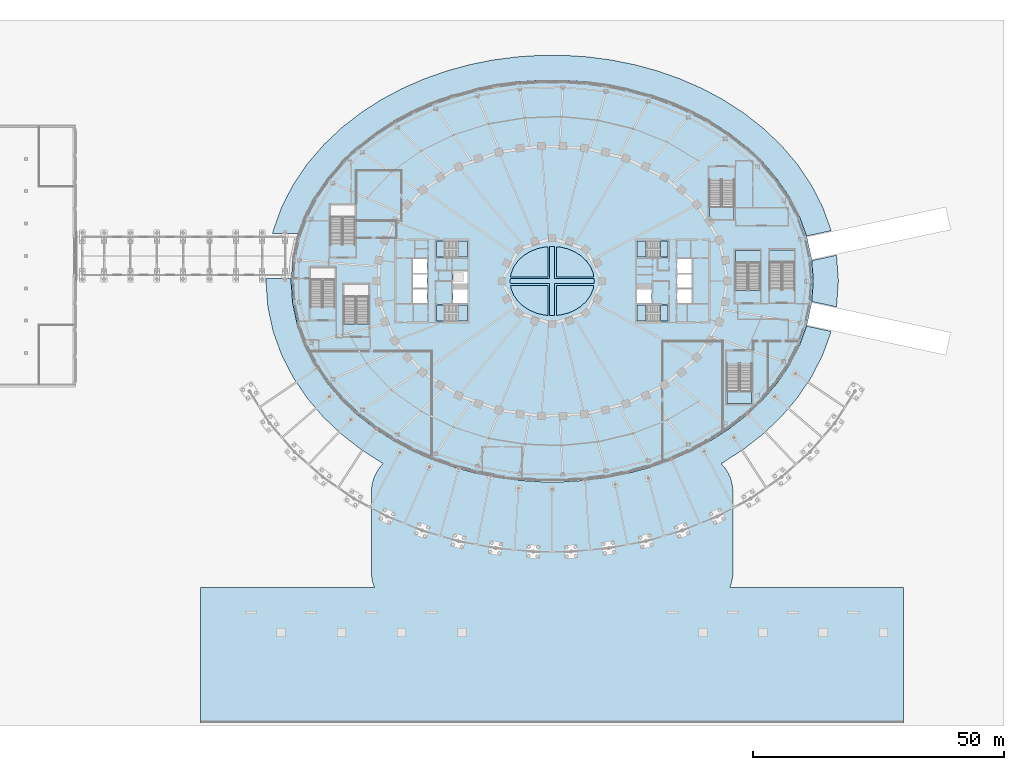
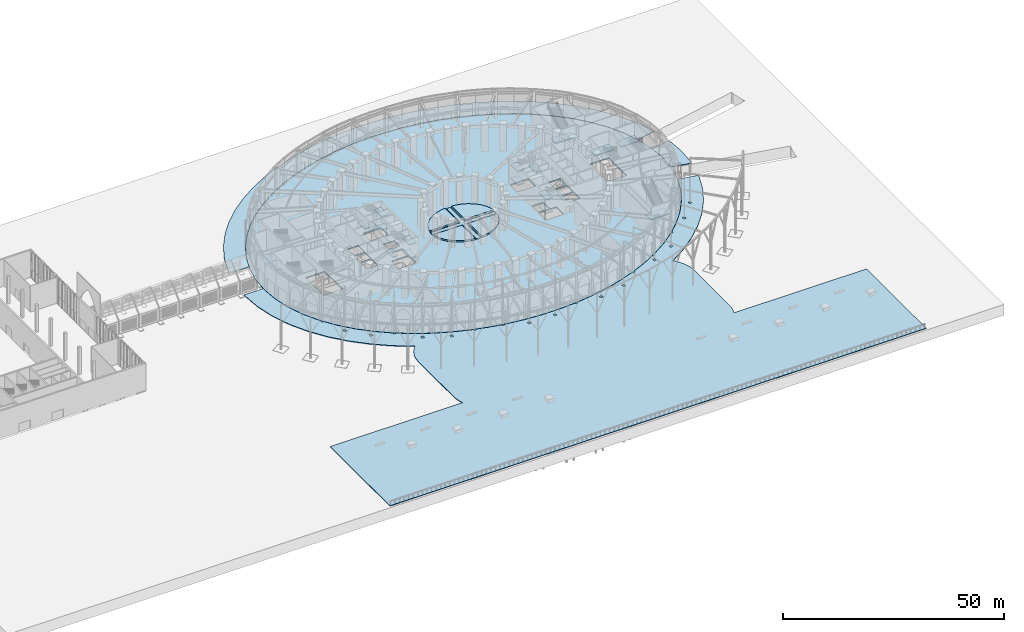
# One storey, part 37 of 79: 25 slabs, 8 elements without a shape of their own.
"""IFC4 building model written with IfcOpenShell, lengths in metres."""

from ifc_helpers import new_model, si_unit, direction, frame, origin, place, context, subcontext, project, spatial, polyline, outline, extrude, material, layer, layer_set, type_object, element, aggregate, save


model = new_model("IFC4")

# Units and contexts
model_context = context("Model", 3, precision=1e-05, world=origin(), true_north=direction((0.0, 1.0)))
body_context = subcontext(model_context, "Body", "Model", "MODEL_VIEW")
ifc_project = project(units=[si_unit("LENGTHUNIT", "METRE"), si_unit("AREAUNIT", "SQUARE_METRE"), si_unit("VOLUMEUNIT", "CUBIC_METRE"), si_unit("PLANEANGLEUNIT", "RADIAN"), si_unit("MASSUNIT", "GRAM", prefix="KILO")], contexts=[model_context])

# Site, building, storey
site_placement = place(None, origin())
site = spatial("IfcSite", under=ifc_project, at=site_placement, CompositionType="ELEMENT")
building_placement = place(site_placement, origin())
building = spatial("IfcBuilding", under=site, at=building_placement, Name="Noorbagh Ring Tower", CompositionType="ELEMENT")
storey_placement = place(building_placement, origin())
storey = spatial("IfcBuildingStorey", under=building, at=storey_placement, Name="L00", CompositionType="ELEMENT", Elevation=0.0)

# Stair, slabs
ifc_material_1 = material(Name="Concrete C40/50", Category="concrete")
stair_type_1 = type_object("IfcStairType", Name="CORE-STAIR", PredefinedType="HALF_TURN_STAIR", material=ifc_material_1)
stair_1_placement = place(storey_placement, origin())
stair_1 = element("IfcStair", 1, at=stair_1_placement, inside=storey, type_object=stair_type_1, Name="L00 Exit stair ST1", PredefinedType="HALF_TURN_STAIR")
ifc_material_2 = material(Name="Concrete C40/50", Category="concrete")
ifc_layer_1 = layer(ifc_material_2, 0.300048828125)
ifc_layer_set_1 = layer_set([ifc_layer_1], Name="Concrete C40/50")
slab_type_1 = type_object("IfcSlabType", Name="CORE-STAIR-LANDING", PredefinedType="LANDING", material=ifc_layer_set_1)
slab_1_placement = place(storey_placement, frame((0.0, 0.0, 1.574951171875)))
slab_1 = element("IfcSlab", 2, at=slab_1_placement, type_object=slab_type_1, Name="ST1 landing 1", PredefinedType="LANDING", context=body_context, shape_type="SweptSolid", body=[
    extrude(outline(polyline([(-18.72998046875, 4.75), (-16.89990234375, 4.75), (-16.89990234375, 8.0), (-18.72998046875, 8.0), (-18.72998046875, 4.75)])), origin(), (0.0, 0.0, 1.0), 0.300048828125),
])
slab_2_placement = place(storey_placement, frame((0.0, 0.0, 3.449951171875)))
slab_2 = element("IfcSlab", 3, at=slab_2_placement, type_object=slab_type_1, Name="ST1 landing 2", PredefinedType="LANDING", context=body_context, shape_type="SweptSolid", body=[
    extrude(outline(polyline([(-23.080078125, 4.75), (-21.530029296875, 4.75), (-21.530029296875, 8.0), (-23.080078125, 8.0), (-23.080078125, 4.75)])), origin(), (0.0, 0.0, 1.0), 0.300048828125),
])
slab_3_placement = place(storey_placement, frame((0.0, 0.0, 5.324951171875)))
slab_3 = element("IfcSlab", 4, at=slab_3_placement, type_object=slab_type_1, Name="ST1 landing 3", PredefinedType="LANDING", context=body_context, shape_type="SweptSolid", body=[
    extrude(outline(polyline([(-18.72998046875, 4.75), (-16.89990234375, 4.75), (-16.89990234375, 8.0), (-18.72998046875, 8.0), (-18.72998046875, 4.75)])), origin(), (0.0, 0.0, 1.0), 0.300048828125),
])
aggregate(stair_1, [slab_1, slab_2, slab_3])

stair_2_placement = place(storey_placement, origin())
stair_2 = element("IfcStair", 5, at=stair_2_placement, inside=storey, type_object=stair_type_1, Name="L00 Exit stair ST2", PredefinedType="HALF_TURN_STAIR")
slab_4_placement = place(storey_placement, frame((0.0, 0.0, 1.574951171875)))
slab_4 = element("IfcSlab", 6, at=slab_4_placement, type_object=slab_type_1, Name="ST2 landing 1", PredefinedType="LANDING", context=body_context, shape_type="SweptSolid", body=[
    extrude(outline(polyline([(-18.72998046875, -8.0), (-16.89990234375, -8.0), (-16.89990234375, -4.75), (-18.72998046875, -4.75), (-18.72998046875, -8.0)])), origin(), (0.0, 0.0, 1.0), 0.300048828125),
])
slab_5_placement = place(storey_placement, frame((0.0, 0.0, 3.449951171875)))
slab_5 = element("IfcSlab", 7, at=slab_5_placement, type_object=slab_type_1, Name="ST2 landing 2", PredefinedType="LANDING", context=body_context, shape_type="SweptSolid", body=[
    extrude(outline(polyline([(-23.080078125, -8.0), (-21.530029296875, -8.0), (-21.530029296875, -4.75), (-23.080078125, -4.75), (-23.080078125, -8.0)])), origin(), (0.0, 0.0, 1.0), 0.300048828125),
])
slab_6_placement = place(storey_placement, frame((0.0, 0.0, 5.324951171875)))
slab_6 = element("IfcSlab", 8, at=slab_6_placement, type_object=slab_type_1, Name="ST2 landing 3", PredefinedType="LANDING", context=body_context, shape_type="SweptSolid", body=[
    extrude(outline(polyline([(-18.72998046875, -8.0), (-16.89990234375, -8.0), (-16.89990234375, -4.75), (-18.72998046875, -4.75), (-18.72998046875, -8.0)])), origin(), (0.0, 0.0, 1.0), 0.300048828125),
])
aggregate(stair_2, [slab_4, slab_5, slab_6])

stair_3_placement = place(storey_placement, origin())
stair_3 = element("IfcStair", 9, at=stair_3_placement, inside=storey, type_object=stair_type_1, Name="L00 Exit stair ST3", PredefinedType="HALF_TURN_STAIR")
slab_7_placement = place(storey_placement, frame((0.0, 0.0, 1.574951171875)))
slab_7 = element("IfcSlab", 10, at=slab_7_placement, type_object=slab_type_1, Name="ST3 landing 1", PredefinedType="LANDING", context=body_context, shape_type="SweptSolid", body=[
    extrude(outline(polyline([(18.72998046875, 8.0), (16.89990234375, 8.0), (16.89990234375, 4.75), (18.72998046875, 4.75), (18.72998046875, 8.0)])), origin(), (0.0, 0.0, 1.0), 0.300048828125),
])
slab_8_placement = place(storey_placement, frame((0.0, 0.0, 3.449951171875)))
slab_8 = element("IfcSlab", 11, at=slab_8_placement, type_object=slab_type_1, Name="ST3 landing 2", PredefinedType="LANDING", context=body_context, shape_type="SweptSolid", body=[
    extrude(outline(polyline([(23.080078125, 8.0), (21.530029296875, 8.0), (21.530029296875, 4.75), (23.080078125, 4.75), (23.080078125, 8.0)])), origin(), (0.0, 0.0, 1.0), 0.300048828125),
])
slab_9_placement = place(storey_placement, frame((0.0, 0.0, 5.324951171875)))
slab_9 = element("IfcSlab", 12, at=slab_9_placement, type_object=slab_type_1, Name="ST3 landing 3", PredefinedType="LANDING", context=body_context, shape_type="SweptSolid", body=[
    extrude(outline(polyline([(18.72998046875, 8.0), (16.89990234375, 8.0), (16.89990234375, 4.75), (18.72998046875, 4.75), (18.72998046875, 8.0)])), origin(), (0.0, 0.0, 1.0), 0.300048828125),
])
aggregate(stair_3, [slab_7, slab_8, slab_9])

stair_4_placement = place(storey_placement, origin())
stair_4 = element("IfcStair", 13, at=stair_4_placement, inside=storey, type_object=stair_type_1, Name="L00 Exit stair ST4", PredefinedType="HALF_TURN_STAIR")
slab_10_placement = place(storey_placement, frame((0.0, 0.0, 1.574951171875)))
slab_10 = element("IfcSlab", 14, at=slab_10_placement, type_object=slab_type_1, Name="ST4 landing 1", PredefinedType="LANDING", context=body_context, shape_type="SweptSolid", body=[
    extrude(outline(polyline([(18.72998046875, -4.75), (16.89990234375, -4.75), (16.89990234375, -8.0), (18.72998046875, -8.0), (18.72998046875, -4.75)])), origin(), (0.0, 0.0, 1.0), 0.300048828125),
])
slab_11_placement = place(storey_placement, frame((0.0, 0.0, 3.449951171875)))
slab_11 = element("IfcSlab", 15, at=slab_11_placement, type_object=slab_type_1, Name="ST4 landing 2", PredefinedType="LANDING", context=body_context, shape_type="SweptSolid", body=[
    extrude(outline(polyline([(23.080078125, -4.75), (21.530029296875, -4.75), (21.530029296875, -8.0), (23.080078125, -8.0), (23.080078125, -4.75)])), origin(), (0.0, 0.0, 1.0), 0.300048828125),
])
slab_12_placement = place(storey_placement, frame((0.0, 0.0, 5.324951171875)))
slab_12 = element("IfcSlab", 16, at=slab_12_placement, type_object=slab_type_1, Name="ST4 landing 3", PredefinedType="LANDING", context=body_context, shape_type="SweptSolid", body=[
    extrude(outline(polyline([(18.72998046875, -4.75), (16.89990234375, -4.75), (16.89990234375, -8.0), (18.72998046875, -8.0), (18.72998046875, -4.75)])), origin(), (0.0, 0.0, 1.0), 0.300048828125),
])
aggregate(stair_4, [slab_10, slab_11, slab_12])

# Slabs
ifc_material_3 = material(Name="Planting soil and turf")
ifc_layer_2 = layer(ifc_material_3, 0.39990234375)
ifc_layer_set_2 = layer_set([ifc_layer_2], Name="Planting soil and turf")
slab_type_2 = type_object("IfcSlabType", Name="GND-GARDEN-BED", PredefinedType="USERDEFINED", material=ifc_layer_set_2)
slab_13_placement = place(storey_placement, origin())
element("IfcSlab", 17, at=slab_13_placement, inside=storey, type_object=slab_type_2, Name="Garden court bed", ObjectType="GARDEN BED", PredefinedType="USERDEFINED", context=body_context, shape_type="SweptSolid", body=[
    extrude(outline(polyline([(8.206298828125, -1.452880859375), (7.6591796875, -2.821044921875), (6.80419921875, -4.037353515625), (5.704345703125, -5.058349609375), (4.422607421875, -5.861572265625), (3.013916015625, -6.4375), (1.526123046875, -6.783203125), (0.85009765625, -6.833984375), (0.85009765625, -0.85009765625), (8.284423828125, -0.85009765625), (8.206298828125, -1.452880859375)])), origin(), (0.0, 0.0, 1.0), 0.39990234375),
])
slab_14_placement = place(storey_placement, origin())
element("IfcSlab", 18, at=slab_14_placement, inside=storey, type_object=slab_type_2, Name="Garden court bed", ObjectType="GARDEN BED", PredefinedType="USERDEFINED", context=body_context, shape_type="SweptSolid", body=[
    extrude(outline(polyline([(-1.526123046875, -6.783203125), (-3.013916015625, -6.4375), (-4.422607421875, -5.861572265625), (-5.704345703125, -5.058349609375), (-6.80419921875, -4.037353515625), (-7.6591796875, -2.821044921875), (-8.206298828125, -1.452880859375), (-8.284423828125, -0.85009765625), (-0.85009765625, -0.85009765625), (-0.85009765625, -6.833984375), (-1.526123046875, -6.783203125)])), origin(), (0.0, 0.0, 1.0), 0.39990234375),
])
slab_15_placement = place(storey_placement, origin())
element("IfcSlab", 19, at=slab_15_placement, inside=storey, type_object=slab_type_2, Name="Garden court bed", ObjectType="GARDEN BED", PredefinedType="USERDEFINED", context=body_context, shape_type="SweptSolid", body=[
    extrude(outline(polyline([(-8.206298828125, 1.452880859375), (-7.6591796875, 2.821044921875), (-6.80419921875, 4.037353515625), (-5.704345703125, 5.058349609375), (-4.422607421875, 5.861572265625), (-3.013916015625, 6.4375), (-1.526123046875, 6.783203125), (-0.85009765625, 6.833984375), (-0.85009765625, 0.85009765625), (-8.284423828125, 0.85009765625), (-8.206298828125, 1.452880859375)])), origin(), (0.0, 0.0, 1.0), 0.39990234375),
])
slab_16_placement = place(storey_placement, origin())
element("IfcSlab", 20, at=slab_16_placement, inside=storey, type_object=slab_type_2, Name="Garden court bed", ObjectType="GARDEN BED", PredefinedType="USERDEFINED", context=body_context, shape_type="SweptSolid", body=[
    extrude(outline(polyline([(1.526123046875, 6.783203125), (3.013916015625, 6.4375), (4.422607421875, 5.861572265625), (5.704345703125, 5.058349609375), (6.80419921875, 4.037353515625), (7.6591796875, 2.821044921875), (8.206298828125, 1.452880859375), (8.284423828125, 0.85009765625), (0.85009765625, 0.85009765625), (0.85009765625, 6.833984375), (1.526123046875, 6.783203125)])), origin(), (0.0, 0.0, 1.0), 0.39990234375),
])
ifc_material_4 = material(Name="Red sandstone paving", Category="masonry")
ifc_layer_3 = layer(ifc_material_4, 0.14990234375)
ifc_layer_set_3 = layer_set([ifc_layer_3], Name="Red sandstone paving")
slab_type_3 = type_object("IfcSlabType", Name="GND-PAVING", PredefinedType="USERDEFINED", material=ifc_layer_set_3)
slab_17_placement = place(storey_placement, frame((0.0, 0.0, -0.14990234375)))
element("IfcSlab", 21, at=slab_17_placement, inside=storey, type_object=slab_type_3, Name="Paving", ObjectType="PAVING", PredefinedType="USERDEFINED", context=body_context, shape_type="SweptSolid", body=[
    extrude(outline(polyline([(-41.789306640625, -30.647216796875), (-42.15185546875, -30.33544921875), (-45.34423828125, -27.31298828125), (-45.700439453125, -26.939208984375), (-48.563720703125, -23.60400390625), (-48.9033203125, -23.160400390625), (-51.37646484375, -19.527099609375), (-51.6845703125, -19.009765625), (-53.703125, -15.105712890625), (-53.96142578125, -14.515869140625), (-55.461181640625, -10.385009765625), (-55.649169921875, -9.731689453125), (-56.57470703125, -5.43603515625), (-56.67431640625, -4.7392578125), (-56.9873046875, -0.356201171875), (-56.9873046875, 0.356201171875), (-56.97705078125, 0.5), (-51.984375, 0.5), (-52.02001953125, -0.00146484375), (-51.706787109375, -4.384521484375), (-50.781005859375, -8.682861328125), (-49.279296875, -12.818603515625), (-47.260986328125, -16.72265625), (-47.0537109375, -17.027099609375), (-47.12548828125, -17.027099609375), (-47.12548828125, -17.627197265625), (-46.6455078125, -17.627197265625), (-44.784912109375, -20.360107421875), (-41.92041015625, -23.69677734375), (-38.72802734375, -26.718994140625), (-35.39892578125, -29.31591796875), (-35.39892578125, -29.804443359375), (-34.799072265625, -29.804443359375), (-34.799072265625, -29.721923828125), (-31.56396484375, -31.811279296875), (-27.683837890625, -33.88232421875), (-23.65380859375, -35.6435546875), (-19.505126953125, -37.100341796875), (-18.924560546875, -37.2587890625), (-18.924560546875, -37.6201171875), (-18.32470703125, -37.6201171875), (-18.32470703125, -37.422607421875), (-15.26220703125, -38.2587890625), (-12.535888671875, -38.805419921875), (-12.535888671875, -39.145263671875), (-11.935791015625, -39.145263671875), (-11.935791015625, -38.92578125), (-10.9482421875, -39.12353515625), (-6.5888671875, -39.69775390625), (-2.19970703125, -39.984130859375), (2.198486328125, -39.984130859375), (6.27880859375, -39.718017578125), (6.27880859375, -39.978271484375), (6.878662109375, -39.978271484375), (6.878662109375, -39.659423828125), (10.94970703125, -39.123291015625), (15.2607421875, -38.25927734375), (19.50390625, -37.1005859375), (23.535400390625, -35.685302734375), (23.535400390625, -35.842529296875), (24.135498046875, -35.842529296875), (24.135498046875, -35.43310546875), (27.685302734375, -33.881591796875), (31.5654296875, -31.810302734375), (35.258544921875, -29.425048828125), (38.70751953125, -26.735107421875), (39.298828125, -26.735107421875), (39.298828125, -26.1787109375), (41.921875, -23.6953125), (44.784912109375, -20.360107421875), (47.259765625, -16.724853515625), (49.279296875, -12.818603515625), (50.730224609375, -8.82275390625), (50.697509765625, -8.974609375), (55.565185546875, -10.0234375), (55.461181640625, -10.385009765625), (53.96142578125, -14.515869140625), (53.703125, -15.105712890625), (51.6845703125, -19.009765625), (51.37646484375, -19.527099609375), (48.9033203125, -23.160400390625), (48.563720703125, -23.60400390625), (45.700439453125, -26.939208984375), (45.34423828125, -27.31298828125), (42.15185546875, -30.33544921875), (41.789306640625, -30.647216796875), (38.32275390625, -33.35107421875), (37.96044921875, -33.6083984375), (34.267333984375, -35.99365234375), (33.9091796875, -36.20458984375), (33.654052734375, -36.340576171875), (34.18408203125, -36.9248046875), (34.65185546875, -37.555419921875), (35.055419921875, -38.228759765625), (35.39111328125, -38.9384765625), (35.655517578125, -39.677734375), (35.84619140625, -40.439208984375), (35.96142578125, -41.2158203125), (36.0, -42.0), (36.0, -58.0), (35.96142578125, -58.7841796875), (35.84619140625, -59.560791015625), (35.655517578125, -60.322265625), (35.4130859375, -61.0), (70.0, -61.0), (70.0, -88.0), (-70.0, -88.0), (-70.0, -61.0), (-35.4130859375, -61.0), (-35.655517578125, -60.322265625), (-35.84619140625, -59.560791015625), (-35.96142578125, -58.7841796875), (-36.0, -58.0), (-36.0, -42.0), (-35.96142578125, -41.2158203125), (-35.84619140625, -40.439208984375), (-35.655517578125, -39.677734375), (-35.39111328125, -38.9384765625), (-35.055419921875, -38.228759765625), (-34.65185546875, -37.555419921875), (-34.18408203125, -36.9248046875), (-33.654052734375, -36.340576171875), (-33.9091796875, -36.20458984375), (-34.267333984375, -35.99365234375), (-37.96044921875, -33.6083984375), (-38.32275390625, -33.35107421875), (-41.789306640625, -30.647216796875)]), holes=[polyline([(-44.625244140625, -23.314208984375), (-44.025146484375, -23.314208984375), (-44.025146484375, -22.71435546875), (-44.625244140625, -22.71435546875), (-44.625244140625, -23.314208984375)]), polyline([(-40.39892578125, -27.297119140625), (-40.39892578125, -27.897216796875), (-39.798828125, -27.897216796875), (-39.798828125, -27.297119140625), (-40.39892578125, -27.297119140625)]), polyline([(-30.064208984375, -34.42919921875), (-30.064208984375, -33.829345703125), (-30.664306640625, -33.829345703125), (-30.664306640625, -34.42919921875), (-30.064208984375, -34.42919921875)]), polyline([(-24.776123046875, -37.30859375), (-24.176025390625, -37.30859375), (-24.176025390625, -36.70849609375), (-24.776123046875, -36.70849609375), (-24.776123046875, -37.30859375)]), polyline([(-6.38671875, -41.57470703125), (-6.38671875, -40.974609375), (-6.98681640625, -40.974609375), (-6.98681640625, -41.57470703125), (-6.38671875, -41.57470703125)]), polyline([(-0.300048828125, -41.76416015625), (0.300048828125, -41.76416015625), (0.300048828125, -41.164306640625), (-0.300048828125, -41.164306640625), (-0.300048828125, -41.76416015625)]), polyline([(12.8701171875, -40.2119140625), (12.27001953125, -40.2119140625), (12.27001953125, -40.81201171875), (12.8701171875, -40.81201171875), (12.8701171875, -40.2119140625)]), polyline([(19.451416015625, -39.54931640625), (19.451416015625, -38.949462890625), (18.851318359375, -38.949462890625), (18.851318359375, -39.54931640625), (19.451416015625, -39.54931640625)]), polyline([(29.97021484375, -33.65283203125), (29.97021484375, -34.2529296875), (30.570068359375, -34.2529296875), (30.570068359375, -33.65283203125), (29.97021484375, -33.65283203125)]), polyline([(36.48388671875, -30.884521484375), (35.884033203125, -30.884521484375), (35.884033203125, -31.484619140625), (36.48388671875, -31.484619140625), (36.48388671875, -30.884521484375)]), polyline([(44.025146484375, -23.314208984375), (44.625244140625, -23.314208984375), (44.625244140625, -22.71435546875), (44.025146484375, -22.71435546875), (44.025146484375, -23.314208984375)]), polyline([(48.1787109375, -18.152587890625), (48.1787109375, -18.75244140625), (48.77880859375, -18.75244140625), (48.77880859375, -18.152587890625), (48.1787109375, -18.152587890625)])]), origin(), (0.0, 0.0, 1.0), 0.14990234375),
])
slab_18_placement = place(storey_placement, frame((0.0, 0.0, -0.14990234375)))
element("IfcSlab", 22, at=slab_18_placement, inside=storey, type_object=slab_type_3, Name="Paving", ObjectType="PAVING", PredefinedType="USERDEFINED", context=body_context, shape_type="SweptSolid", body=[
    extrude(outline(polyline([(-55.649169921875, 9.731689453125), (-55.461181640625, 10.385009765625), (-53.96142578125, 14.515869140625), (-53.703125, 15.105712890625), (-51.6845703125, 19.009765625), (-51.37646484375, 19.527099609375), (-48.9033203125, 23.160400390625), (-48.563720703125, 23.60400390625), (-45.700439453125, 26.939208984375), (-45.34423828125, 27.31298828125), (-42.15185546875, 30.33544921875), (-41.789306640625, 30.647216796875), (-38.32275390625, 33.35107421875), (-37.96044921875, 33.6083984375), (-34.267333984375, 35.99365234375), (-33.9091796875, 36.20458984375), (-30.030517578125, 38.27490234375), (-29.67822265625, 38.445556640625), (-25.6494140625, 40.206298828125), (-25.3037109375, 40.34228515625), (-21.155029296875, 41.799072265625), (-20.8154296875, 41.90478515625), (-16.57373046875, 43.06298828125), (-16.239501953125, 43.14208984375), (-11.928466796875, 44.00634765625), (-11.598388671875, 44.06103515625), (-7.239013671875, 44.635009765625), (-6.911865234375, 44.667236328125), (-2.524169921875, 44.95361328125), (-2.198486328125, 44.964111328125), (2.198486328125, 44.964111328125), (2.524169921875, 44.95361328125), (6.911865234375, 44.667236328125), (7.239013671875, 44.635009765625), (11.598388671875, 44.06103515625), (11.928466796875, 44.00634765625), (16.239501953125, 43.14208984375), (16.57373046875, 43.06298828125), (20.8154296875, 41.90478515625), (21.155029296875, 41.799072265625), (25.3037109375, 40.34228515625), (25.6494140625, 40.206298828125), (29.67822265625, 38.445556640625), (30.030517578125, 38.27490234375), (33.9091796875, 36.20458984375), (34.267333984375, 35.99365234375), (37.96044921875, 33.6083984375), (38.32275390625, 33.35107421875), (41.789306640625, 30.647216796875), (42.15185546875, 30.33544921875), (45.34423828125, 27.31298828125), (45.700439453125, 26.939208984375), (48.563720703125, 23.60400390625), (48.9033203125, 23.160400390625), (51.37646484375, 19.527099609375), (51.6845703125, 19.009765625), (53.703125, 15.105712890625), (53.96142578125, 14.515869140625), (55.461181640625, 10.385009765625), (55.565185546875, 10.0234375), (50.697509765625, 8.974609375), (50.730224609375, 8.82275390625), (49.279296875, 12.818603515625), (47.260986328125, 16.72265625), (44.786376953125, 20.358154296875), (41.921875, 23.6953125), (38.72802734375, 26.718994140625), (35.260009765625, 29.424072265625), (31.5654296875, 31.810302734375), (27.685302734375, 33.881591796875), (23.65380859375, 35.6435546875), (19.50390625, 37.1005859375), (15.2607421875, 38.25927734375), (10.9482421875, 39.12353515625), (6.5888671875, 39.69775390625), (2.19970703125, 39.984130859375), (-2.198486328125, 39.984130859375), (-6.5888671875, 39.69775390625), (-10.94970703125, 39.123291015625), (-15.2607421875, 38.25927734375), (-19.50390625, 37.1005859375), (-23.65380859375, 35.6435546875), (-27.683837890625, 33.88232421875), (-31.56396484375, 31.811279296875), (-35.260009765625, 29.424072265625), (-38.72802734375, 26.718994140625), (-41.92041015625, 23.69677734375), (-44.784912109375, 20.360107421875), (-47.260986328125, 16.72265625), (-49.279296875, 12.818603515625), (-50.484375, 9.5), (-55.69921875, 9.5), (-55.649169921875, 9.731689453125)])), origin(), (0.0, 0.0, 1.0), 0.14990234375),
])
slab_19_placement = place(storey_placement, frame((0.0, 0.0, -0.14990234375)))
element("IfcSlab", 23, at=slab_19_placement, inside=storey, type_object=slab_type_3, Name="Paving", ObjectType="PAVING", PredefinedType="USERDEFINED", context=body_context, shape_type="SweptSolid", body=[
    extrude(outline(polyline([(56.67431640625, -4.7392578125), (56.61767578125, -5.135498046875), (51.750732421875, -4.0869140625), (51.716796875, -4.24365234375), (52.02001953125, -0.00146484375), (51.716796875, 4.24365234375), (51.750732421875, 4.0869140625), (56.61767578125, 5.135498046875), (56.67431640625, 4.7392578125), (56.9873046875, 0.356201171875), (56.9873046875, -0.356201171875), (56.67431640625, -4.7392578125)])), origin(), (0.0, 0.0, 1.0), 0.14990234375),
])

# Stair, slab
ifc_material_5 = material(Name="Concrete C40/50", Category="concrete")
stair_type_2 = type_object("IfcStairType", Name="GND-STAIR", PredefinedType="HALF_TURN_STAIR", material=ifc_material_5)
stair_5_placement = place(storey_placement, origin())
stair_5 = element("IfcStair", 24, at=stair_5_placement, inside=storey, type_object=stair_type_2, Name="L00 exit stair ST-P2", PredefinedType="HALF_TURN_STAIR")
ifc_material_6 = material(Name="Concrete C40/50", Category="concrete")
ifc_layer_4 = layer(ifc_material_6, 0.25)
ifc_layer_set_4 = layer_set([ifc_layer_4], Name="Concrete C40/50")
slab_type_4 = type_object("IfcSlabType", Name="GND-STAIR-LANDING", PredefinedType="LANDING", material=ifc_layer_set_4)
slab_20_placement = place(storey_placement, frame((0.0, 0.0, 3.5)))
slab_20 = element("IfcSlab", 25, at=slab_20_placement, type_object=slab_type_4, Name="ST-P2 landing 1", PredefinedType="LANDING", context=body_context, shape_type="SweptSolid", body=[
    extrude(outline(polyline([(41.449951171875, 3.699951171875), (41.449951171875, 6.10009765625), (36.5, 6.10009765625), (36.5, 3.699951171875), (41.449951171875, 3.699951171875)])), origin(), (0.0, 0.0, 1.0), 0.25),
])
aggregate(stair_5, [slab_20])

stair_6_placement = place(storey_placement, origin())
stair_6 = element("IfcStair", 26, at=stair_6_placement, inside=storey, type_object=stair_type_2, Name="L00 exit stair ST-P4", PredefinedType="HALF_TURN_STAIR")
slab_21_placement = place(storey_placement, frame((0.0, 0.0, 3.5)))
slab_21 = element("IfcSlab", 27, at=slab_21_placement, type_object=slab_type_4, Name="ST-P4 landing 1", PredefinedType="LANDING", context=body_context, shape_type="SweptSolid", body=[
    extrude(outline(polyline([(48.25, 3.800048828125), (48.25, 6.199951171875), (43.300048828125, 6.199951171875), (43.300048828125, 3.800048828125), (48.25, 3.800048828125)])), origin(), (0.0, 0.0, 1.0), 0.25),
])
aggregate(stair_6, [slab_21])

stair_7_placement = place(storey_placement, origin())
stair_7 = element("IfcStair", 28, at=stair_7_placement, inside=storey, type_object=stair_type_2, Name="L00 exit stair ST-P5", PredefinedType="HALF_TURN_STAIR")
slab_22_placement = place(storey_placement, frame((0.0, 0.0, 3.5)))
slab_22 = element("IfcSlab", 29, at=slab_22_placement, type_object=slab_type_4, Name="ST-P5 landing 1", PredefinedType="LANDING", context=body_context, shape_type="SweptSolid", body=[
    extrude(outline(polyline([(31.300048828125, 14.699951171875), (31.300048828125, 12.300048828125), (36.25, 12.300048828125), (36.25, 14.699951171875), (31.300048828125, 14.699951171875)])), origin(), (0.0, 0.0, 1.0), 0.25),
])
aggregate(stair_7, [slab_22])

stair_8_placement = place(storey_placement, origin())
stair_8 = element("IfcStair", 30, at=stair_8_placement, inside=storey, type_object=stair_type_2, Name="L00 exit stair ST-P6", PredefinedType="HALF_TURN_STAIR")
slab_23_placement = place(storey_placement, frame((0.0, 0.0, 3.5)))
slab_23 = element("IfcSlab", 31, at=slab_23_placement, type_object=slab_type_4, Name="ST-P6 landing 1", PredefinedType="LANDING", context=body_context, shape_type="SweptSolid", body=[
    extrude(outline(polyline([(34.800048828125, -22.0), (34.800048828125, -24.39990234375), (39.75, -24.39990234375), (39.75, -22.0), (34.800048828125, -22.0)])), origin(), (0.0, 0.0, 1.0), 0.25),
])
aggregate(stair_8, [slab_23])

# Slabs
ifc_material_7 = material(Name="Red sandstone paving", Category="masonry")
ifc_layer_5 = layer(ifc_material_7, 0.14990234375)
ifc_layer_set_5 = layer_set([ifc_layer_5], Name="Red sandstone paving")
slab_type_5 = type_object("IfcSlabType", Name="GND-WATER-CHANNEL", PredefinedType="USERDEFINED", material=ifc_layer_set_5)
slab_24_placement = place(storey_placement, origin())
element("IfcSlab", 32, at=slab_24_placement, inside=storey, type_object=slab_type_5, Name="Garden court water channel", ObjectType="WATER CHANNEL", PredefinedType="USERDEFINED", context=body_context, shape_type="SweptSolid", body=[
    extrude(outline(polyline([(8.330078125, -0.5), (0.5, -0.5), (0.5, -6.860595703125), (0.0, -6.898193359375), (-0.5, -6.860595703125), (-0.5, -0.5), (-8.330078125, -0.5), (-8.39501953125, 0.0), (-8.330078125, 0.5), (-0.5, 0.5), (-0.5, 6.860595703125), (0.0, 6.898193359375), (0.5, 6.860595703125), (0.5, 0.5), (8.330078125, 0.5), (8.39501953125, 0.0), (8.330078125, -0.5)])), origin(), (0.0, 0.0, 1.0), 0.14990234375),
])
ifc_material_8 = material(Name="Concrete C40/50", Category="concrete")
ifc_layer_6 = layer(ifc_material_8, 0.35009765625)
ifc_layer_set_6 = layer_set([ifc_layer_6], Name="Concrete C40/50")
slab_type_6 = type_object("IfcSlabType", Name="STR-PODIUM-DECK-350", PredefinedType="FLOOR", material=ifc_layer_set_6)
slab_25_placement = place(storey_placement, frame((0.0, 0.0, -0.35009765625)))
element("IfcSlab", 33, at=slab_25_placement, inside=storey, type_object=slab_type_6, Name="L00/slab/1", PredefinedType="FLOOR", context=body_context, shape_type="SweptSolid", body=[
    extrude(outline(polyline([(52.0, 0.0), (51.68701171875, 4.383056640625), (50.76123046875, 8.6787109375), (49.261474609375, 12.809326171875), (47.2431640625, 16.713623046875), (44.769775390625, 20.346923828125), (41.906494140625, 23.682373046875), (38.71435546875, 26.70458984375), (35.247802734375, 29.408447265625), (31.5546875, 31.793701171875), (27.676025390625, 33.864013671875), (23.647216796875, 35.624755859375), (19.49853515625, 37.08154296875), (15.2568359375, 38.239501953125), (10.945556640625, 39.103759765625), (6.586181640625, 39.677734375), (2.198486328125, 39.964111328125), (-2.198486328125, 39.964111328125), (-6.586181640625, 39.677734375), (-10.945556640625, 39.103759765625), (-15.2568359375, 38.239501953125), (-19.49853515625, 37.08154296875), (-23.647216796875, 35.624755859375), (-27.676025390625, 33.864013671875), (-31.5546875, 31.793701171875), (-35.247802734375, 29.408447265625), (-38.71435546875, 26.70458984375), (-41.906494140625, 23.682373046875), (-44.769775390625, 20.346923828125), (-47.2431640625, 16.713623046875), (-49.261474609375, 12.809326171875), (-50.76123046875, 8.6787109375), (-51.68701171875, 4.383056640625), (-52.0, 0.0), (-51.68701171875, -4.383056640625), (-50.76123046875, -8.6787109375), (-49.261474609375, -12.809326171875), (-47.2431640625, -16.713623046875), (-44.769775390625, -20.346923828125), (-41.906494140625, -23.682373046875), (-38.71435546875, -26.70458984375), (-35.247802734375, -29.408447265625), (-31.5546875, -31.793701171875), (-27.676025390625, -33.864013671875), (-23.647216796875, -35.624755859375), (-19.49853515625, -37.08154296875), (-15.2568359375, -38.239501953125), (-10.945556640625, -39.103759765625), (-6.586181640625, -39.677734375), (-2.198486328125, -39.964111328125), (2.198486328125, -39.964111328125), (6.586181640625, -39.677734375), (10.945556640625, -39.103759765625), (15.2568359375, -38.239501953125), (19.49853515625, -37.08154296875), (23.647216796875, -35.624755859375), (27.676025390625, -33.864013671875), (31.5546875, -31.793701171875), (35.247802734375, -29.408447265625), (38.71435546875, -26.70458984375), (41.906494140625, -23.682373046875), (44.769775390625, -20.346923828125), (47.2431640625, -16.713623046875), (49.261474609375, -12.809326171875), (50.76123046875, -8.6787109375), (51.68701171875, -4.383056640625), (52.0, 0.0)]), holes=[polyline([(36.5, -1.8994140625), (36.5, 6.10009765625), (41.449951171875, 6.10009765625), (41.449951171875, -1.8994140625), (36.5, -1.8994140625)]), polyline([(24.89990234375, -1.60009765625), (27.800048828125, -1.60009765625), (27.800048828125, -4.449951171875), (24.89990234375, -4.449951171875), (24.89990234375, -1.60009765625)]), polyline([(24.89990234375, 1.35009765625), (27.800048828125, 1.35009765625), (27.800048828125, -1.35009765625), (24.89990234375, -1.35009765625), (24.89990234375, 1.35009765625)]), polyline([(24.89990234375, 4.449951171875), (27.800048828125, 4.449951171875), (27.800048828125, 1.60009765625), (24.89990234375, 1.60009765625), (24.89990234375, 4.449951171875)]), polyline([(21.529541015625, -8.0), (16.89990234375, -8.0), (16.89990234375, -4.75), (21.529541015625, -4.75), (21.529541015625, -8.0)]), polyline([(21.529541015625, 4.75), (16.89990234375, 4.75), (16.89990234375, 8.0), (21.529541015625, 8.0), (21.529541015625, 4.75)]), polyline([(16.89990234375, -1.699951171875), (19.800048828125, -1.699951171875), (19.800048828125, -4.449951171875), (16.89990234375, -4.449951171875), (16.89990234375, -1.699951171875)]), polyline([(-21.529541015625, -8.0), (-21.529541015625, -4.75), (-16.89990234375, -4.75), (-16.89990234375, -8.0), (-21.529541015625, -8.0)]), polyline([(-21.529541015625, 8.0), (-16.89990234375, 8.0), (-16.89990234375, 4.75), (-21.529541015625, 4.75), (-21.529541015625, 8.0)]), polyline([(-16.89990234375, -4.449951171875), (-19.800048828125, -4.449951171875), (-19.800048828125, -1.699951171875), (-16.89990234375, -1.699951171875), (-16.89990234375, -4.449951171875)]), polyline([(-16.89990234375, -0.449951171875), (-19.800048828125, -0.449951171875), (-19.800048828125, 2.0), (-16.89990234375, 2.0), (-16.89990234375, -0.449951171875)]), polyline([(-24.89990234375, -4.449951171875), (-27.800048828125, -4.449951171875), (-27.800048828125, -1.60009765625), (-24.89990234375, -1.60009765625), (-24.89990234375, -4.449951171875)]), polyline([(-24.89990234375, -1.35009765625), (-27.800048828125, -1.35009765625), (-27.800048828125, 1.35009765625), (-24.89990234375, 1.35009765625), (-24.89990234375, -1.35009765625)]), polyline([(-24.89990234375, 1.60009765625), (-27.800048828125, 1.60009765625), (-27.800048828125, 4.449951171875), (-24.89990234375, 4.449951171875), (-24.89990234375, 1.60009765625)]), polyline([(-41.5, -8.599609375), (-41.5, -0.60009765625), (-36.550048828125, -0.60009765625), (-36.550048828125, -8.599609375), (-41.5, -8.599609375)])]), origin(), (0.0, 0.0, 1.0), 0.35009765625),
])

save(model, "model.ifc")
